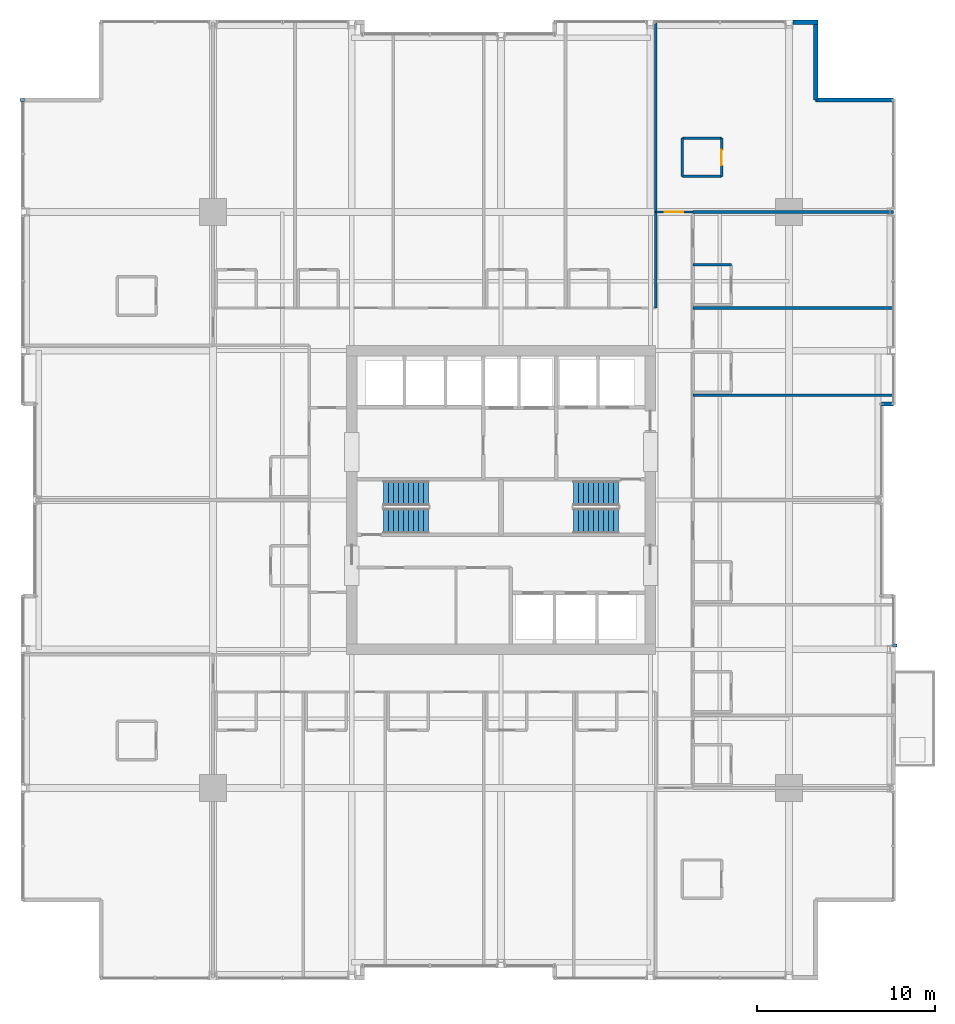
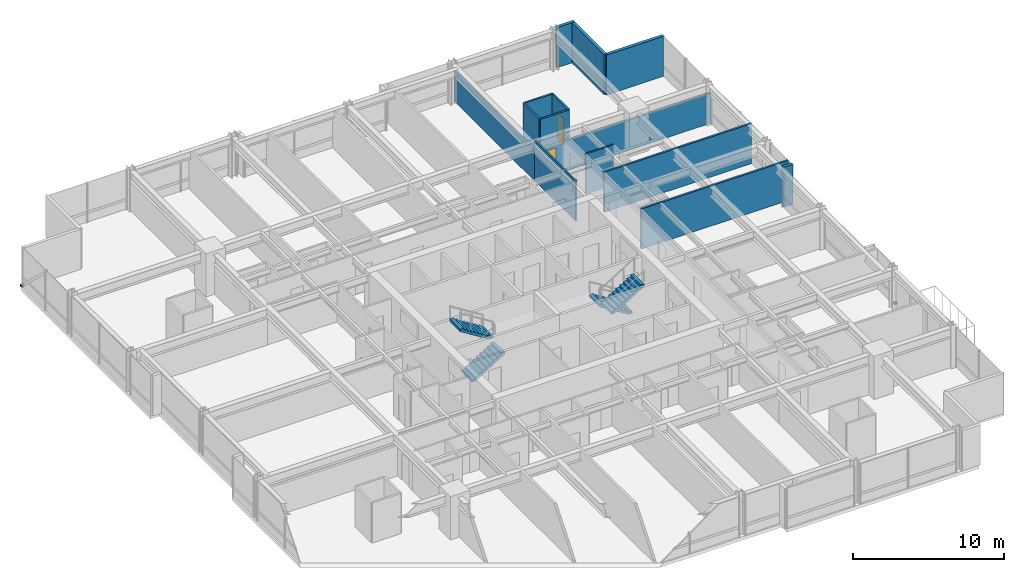
# One storey, part 32 of 34: 15 walls, 4 stair flights, 2 discrete accessories, 2 doors, 2 openings, 2 elements without a shape of their own.
"""IFC4 building model written with IfcOpenShell, lengths in metres."""

import ifcopenshell
import ifcopenshell.guid

model = None  # the IFC model being written
_history = None  # IfcOwnerHistory: only IFC2X3 demands one
_inside = {}  # id of a spatial element -> (the spatial element, [elements in it])
_under = {}  # id of a project, library or spatial element -> (it, [spatial elements below it])
_declared = {}  # id of a project -> (the project, [libraries it declares])
_typed = {}  # id of a type object -> (the type object, [elements of that type])
_made_of = {}  # id of a material, layer set ... -> (it, [elements and type objects made of it])


def new_model(schema):
    """Start an empty IFC model of exactly this schema.

    Asked for "IFC4X3", IfcOpenShell would pick the latest addendum, in which some entities
    have other attributes; the version numbers below select the first issue.
    IFC2X3 requires an IfcOwnerHistory on every rooted entity: one is made here for all.
    """
    global model, _history
    if schema == "IFC4X3":
        model = ifcopenshell.file(schema_version=(4, 3, 0, 0))
    else:
        model = ifcopenshell.file(schema=schema)
    _inside.clear()
    _under.clear()
    _declared.clear()
    _typed.clear()
    _made_of.clear()
    _history = None
    if model.schema == "IFC2X3":
        org = make("IfcOrganization", Name="unknown")
        user = make(
            "IfcPersonAndOrganization",
            ThePerson=make("IfcPerson", FamilyName="unknown"),
            TheOrganization=org,
        )
        app = make(
            "IfcApplication",
            ApplicationDeveloper=org,
            Version="unknown",
            ApplicationFullName="unknown",
            ApplicationIdentifier="unknown",
        )
        _history = make(
            "IfcOwnerHistory",
            OwningUser=user,
            OwningApplication=app,
            ChangeAction="ADDED",
            CreationDate=0,
        )
    return model


def make(cls, **values):
    """One entity of the class cls with the attributes given. An attribute that is None is left unset."""
    return model.create_entity(
        cls, **{name: value for name, value in values.items() if value is not None}
    )


def rooted(cls, **values):
    """An entity with a GlobalId (a new one), such as an element, a storey or a relation."""
    return make(cls, GlobalId=ifcopenshell.guid.new(), OwnerHistory=_history, **values)


def si_unit(unit_type, name, prefix=None):
    """IfcSIUnit, for example si_unit("LENGTHUNIT", "METRE", prefix="MILLI")."""
    return make("IfcSIUnit", UnitType=unit_type, Prefix=prefix, Name=name)


def assignment(units):
    """IfcUnitAssignment: the units of a project."""
    return None if units is None else make("IfcUnitAssignment", Units=units)


def point(xyz):
    """IfcCartesianPoint."""
    return None if xyz is None else make("IfcCartesianPoint", Coordinates=xyz)


def direction(xyz):
    """IfcDirection."""
    return None if xyz is None else make("IfcDirection", DirectionRatios=xyz)


def frame(location, z_axis=None, x_axis=None):
    """IfcAxis2Placement3D, a coordinate frame: its origin and axes. An axis left out is left unset."""
    return make(
        "IfcAxis2Placement3D",
        Location=point(location),
        Axis=direction(z_axis),
        RefDirection=direction(x_axis),
    )


def frame_2d(location, x_axis=None):
    """IfcAxis2Placement2D, a coordinate frame in the plane: its origin and x axis."""
    return make(
        "IfcAxis2Placement2D", Location=point(location), RefDirection=direction(x_axis)
    )


def origin():
    """The frame at (0, 0, 0) with its axes left unset."""
    return frame((0.0, 0.0, 0.0))


def origin_2d():
    """The frame at (0, 0) in the plane with its x axis left unset."""
    return frame_2d((0.0, 0.0))


def place(relative_to, where):
    """IfcLocalPlacement: puts the frame where relative to a parent placement (None: the world)."""
    return make(
        "IfcLocalPlacement", PlacementRelTo=relative_to, RelativePlacement=where
    )


def context(
    kind, dimensions, precision=None, world=None, true_north=None, identifier=None
):
    """IfcGeometricRepresentationContext, for example the 3D "Model" context."""
    return make(
        "IfcGeometricRepresentationContext",
        ContextIdentifier=identifier,
        ContextType=kind,
        CoordinateSpaceDimension=dimensions,
        Precision=precision,
        WorldCoordinateSystem=world,
        TrueNorth=true_north,
    )


def subcontext(parent, identifier, kind, view, scale=None):
    """IfcGeometricRepresentationSubContext, for example "Body" below "Model"."""
    return make(
        "IfcGeometricRepresentationSubContext",
        ContextIdentifier=identifier,
        ContextType=kind,
        ParentContext=parent,
        TargetScale=scale,
        TargetView=view,
    )


def project(units=None, contexts=None):
    """IfcProject with its units and contexts."""
    return rooted(
        "IfcProject",
        Name="project",
        RepresentationContexts=contexts,
        UnitsInContext=assignment(units),
    )


def spatial(cls, under=None, at=None, **own):
    """A site, building, storey or space (cls), placed at a placement, below another one or the project."""
    s = rooted(cls, ObjectPlacement=at, **own)
    if under is not None:
        _under.setdefault(under.id(), (under, []))[1].append(s)
    return s


def polyline(points):
    """IfcPolyline through the points."""
    return make("IfcPolyline", Points=[point(p) for p in points])


def profile(cls, at=None, kind="AREA", **sizes):
    """A parametric profile (cls). Its sizes go by their IFC names, for example OverallWidth=200.0."""
    return make(cls, ProfileType=kind, Position=at, **sizes)


def rectangle(**sizes):
    """IfcRectangleProfileDef."""
    return profile("IfcRectangleProfileDef", **sizes)


def outline(outer, holes=None, kind="AREA"):
    """IfcArbitraryClosedProfileDef: a profile drawn as a closed curve; with holes, ...WithVoids."""
    if holes is None:
        return make("IfcArbitraryClosedProfileDef", ProfileType=kind, OuterCurve=outer)
    return make(
        "IfcArbitraryProfileDefWithVoids",
        ProfileType=kind,
        OuterCurve=outer,
        InnerCurves=holes,
    )


def extrude(swept, where, along, depth):
    """IfcExtrudedAreaSolid: the profile swept, set in the frame where, extruded along a direction by depth."""
    return make(
        "IfcExtrudedAreaSolid",
        SweptArea=swept,
        Position=where,
        ExtrudedDirection=direction(along),
        Depth=depth,
    )


def shape(context_of_items, identifier, shape_type, items):
    """IfcShapeRepresentation: the items that make up one representation, for example the "Body"."""
    return make(
        "IfcShapeRepresentation",
        ContextOfItems=context_of_items,
        RepresentationIdentifier=identifier,
        RepresentationType=shape_type,
        Items=items,
    )


def material(Name=None, Category=None):
    """IfcMaterial."""
    return make("IfcMaterial", Name=Name, Category=Category)


def layer(
    of_material, thickness, ventilated=None, Name=None, Category=None, Priority=None
):
    """IfcMaterialLayer: one layer of a wall or slab, of a material (None: an air gap)."""
    return make(
        "IfcMaterialLayer",
        Material=of_material,
        LayerThickness=thickness,
        IsVentilated=ventilated,
        Name=Name,
        Category=Category,
        Priority=Priority,
    )


def layer_set(layers, Name=None):
    """IfcMaterialLayerSet."""
    return make("IfcMaterialLayerSet", MaterialLayers=layers, LayerSetName=Name)


def made_of(thing, what):
    """Note that an element or type object is made of a material, layer set ...; save() writes the relation."""
    if what is not None:
        _made_of.setdefault(what.id(), (what, []))[1].append(thing)
    return thing


def type_object(cls, material=None, **own):
    """A type object (cls), such as IfcWallType, which elements share."""
    return made_of(rooted(cls, **own), material)


def element(
    cls,
    number,
    at=None,
    inside=None,
    cuts=None,
    type_object=None,
    material=None,
    context=None,
    identifier="Body",
    shape_type=None,
    held_by="IfcProductDefinitionShape",
    body=None,
    shapes=None,
    **own,
):
    """One element of the class cls, such as IfcWall. Its Tag is "e" and its number.

    at: its placement. inside: the storey or other place that contains it. cuts: it is an
    opening in that element (IfcRelVoidsElement). A single representation is given by context,
    identifier, shape_type and body (its items); several are given by shapes. held_by: the class
    of the entity that holds the representations. save() writes the other relations.
    """
    e = rooted(cls, Tag="e%d" % number, ObjectPlacement=at, **own)
    if body is not None:
        shapes = [shape(context, identifier, shape_type, body)]
    if shapes is not None:
        e.Representation = make(held_by, Representations=shapes)
    if inside is not None:
        _inside.setdefault(inside.id(), (inside, []))[1].append(e)
    if cuts is not None:
        rooted(
            "IfcRelVoidsElement", RelatingBuildingElement=cuts, RelatedOpeningElement=e
        )
    if type_object is not None:
        _typed.setdefault(type_object.id(), (type_object, []))[1].append(e)
    return made_of(e, material)


def fill(opening, filler):
    """IfcRelFillsElement: the door or window that sits in an opening."""
    return rooted(
        "IfcRelFillsElement",
        RelatingOpeningElement=opening,
        RelatedBuildingElement=filler,
    )


def aggregate(whole, parts):
    """IfcRelAggregates: a whole, such as a stair, and the parts it consists of."""
    return rooted("IfcRelAggregates", RelatingObject=whole, RelatedObjects=parts)


def save(model, path):
    """Write the relations noted so far, then the file.

    IfcRelAggregates (storeys below a building ...), IfcRelContainedInSpatialStructure (elements
    in a storey), IfcRelDefinesByType, IfcRelAssociatesMaterial and IfcRelDeclares: one each for
    every whole, place, type object, material and project.
    """
    for whole, parts in _under.values():
        aggregate(whole, parts)
    for where, things in _inside.values():
        rooted(
            "IfcRelContainedInSpatialStructure",
            RelatedElements=things,
            RelatingStructure=where,
        )
    for kind, things in _typed.values():
        rooted("IfcRelDefinesByType", RelatedObjects=things, RelatingType=kind)
    for what, things in _made_of.values():
        rooted("IfcRelAssociatesMaterial", RelatedObjects=things, RelatingMaterial=what)
    for by, libraries in _declared.values():
        rooted("IfcRelDeclares", RelatingContext=by, RelatedDefinitions=libraries)
    model.write(path)


model = new_model("IFC4")

# Units and contexts
model_context = context("Model", 3, precision=1e-05, world=origin(), true_north=direction((0.0, 1.0)))
body_context = subcontext(model_context, "Body", "Model", "MODEL_VIEW")
ifc_project = project(units=[si_unit("LENGTHUNIT", "METRE"), si_unit("AREAUNIT", "SQUARE_METRE"), si_unit("VOLUMEUNIT", "CUBIC_METRE"), si_unit("PLANEANGLEUNIT", "RADIAN"), si_unit("MASSUNIT", "GRAM", prefix="KILO")], contexts=[model_context])

# Site, building, storey
site_placement = place(None, origin())
site = spatial("IfcSite", under=ifc_project, at=site_placement, CompositionType="ELEMENT")
building_placement = place(site_placement, origin())
building = spatial("IfcBuilding", under=site, at=building_placement, Name="Drelvath Grand Hotel", CompositionType="ELEMENT")
storey_placement = place(building_placement, frame((0.0, 0.0, 91.800048828125)))
storey = spatial("IfcBuildingStorey", under=building, at=storey_placement, Name="L22", CompositionType="ELEMENT", Elevation=91.800048828125)

# Wall
ifc_material_1 = material(Name="Gypsum Fireboard Partition")
ifc_layer_1 = layer(ifc_material_1, 0.135009765625)
ifc_layer_set_1 = layer_set([ifc_layer_1], Name="Gypsum Fireboard Partition")
wall_type_1 = type_object("IfcWallType", Name="Corridor Fire Barrier Wall 135", PredefinedType="PARTITIONING", material=ifc_layer_set_1)
wall_1_placement = place(storey_placement, frame((8.699951171875, 37.800048828125, 0.0), z_axis=(0.0, 0.0, 1.0), x_axis=(0.0, 1.0, 0.0)))
element("IfcWall", 1, at=wall_1_placement, inside=storey, type_object=wall_type_1, Name="L22 East Spine North Inner Wall", PredefinedType="PARTITIONING", context=body_context, shape_type="SweptSolid", body=[
    extrude(rectangle(XDim=5.39990234375, YDim=0.135009765625, at=frame_2d((2.699951171875, 0.0))), origin(), (0.0, 0.0, 1.0), 3.239990234375),
])

# Wall, opening, door
wall_2_placement = place(storey_placement, frame((8.699951171875, 43.199951171875, 0.0), z_axis=(0.0, 0.0, 1.0), x_axis=(1.0, 0.0, 0.0)))
wall_2 = element("IfcWall", 2, at=wall_2_placement, inside=storey, type_object=wall_type_1, Name="L22 East Spine North End", PredefinedType="PARTITIONING", context=body_context, shape_type="SweptSolid", body=[
    extrude(rectangle(XDim=2.10009765625, YDim=0.135009765625, at=frame_2d((1.050048828125, 0.0))), origin(), (0.0, 0.0, 1.0), 2.45166015625),
])
opening_1_placement = place(wall_2_placement, frame((0.52001953125, 0.0, 0.0)))
opening_1 = element("IfcOpeningElement", 3, at=opening_1_placement, cuts=wall_2, Name="Opening D-T2G1-026", PredefinedType="OPENING", context=body_context, shape_type="SweptSolid", body=[
    extrude(rectangle(XDim=1.02001953125, YDim=2.14990234375, at=frame_2d((0.510009765625, 1.074951171875))), frame((0.0, 0.077392578125, 0.0), z_axis=(0.0, -1.0, 0.0), x_axis=(1.0, 0.0, 0.0)), (0.0, 0.0, 1.0), 0.155029296875),
])
ifc_material_2 = material(Name="Hardwood Walnut Timber", Category="wood")
door_type_1 = type_object("IfcDoorType", Name="Amenity Meeting Fire Door 1020x2150", OperationType="NOTDEFINED", PredefinedType="DOOR", material=ifc_material_2)
door_1_placement = place(opening_1_placement, origin())
door_1 = element("IfcDoor", 4, at=door_1_placement, inside=storey, type_object=door_type_1, Name="L22 Corner Suite Entry Door", OperationType="SINGLE_SWING_LEFT", OverallHeight=2.14990234375, OverallWidth=1.02001953125, PredefinedType="DOOR", context=body_context, shape_type="SweptSolid", body=[
    extrude(rectangle(XDim=1.02001953125, YDim=2.14990234375, at=frame_2d((0.510009765625, 1.074951171875))), frame((0.0, 0.02490234375, 0.0), z_axis=(0.0, -1.0, 0.0), x_axis=(1.0, 0.0, 0.0)), (0.0, 0.0, 1.0), 0.050048828125),
])
fill(opening_1, door_1)

# Walls
ifc_material_3 = material(Name="Moisture-Resistant Gypsum Board")
ifc_layer_2 = layer(ifc_material_3, 0.139892578125)
ifc_layer_set_2 = layer_set([ifc_layer_2], Name="Moisture-Resistant Gypsum Board")
wall_type_2 = type_object("IfcWallType", Name="En-Suite Plumbing Wall 140", PredefinedType="PLUMBINGWALL", material=ifc_layer_set_2)
for number, where, z_axis, x_axis, name in (
    (5, (10.199951171875, 45.199951171875, 0.0), (0.0, 0.0, 1.0), (1.0, 0.0, 0.0), "L22 Corner En-Suite South"),
    (6, (10.199951171875, 47.35009765625, 0.0), (0.0, 0.0, 1.0), (1.0, 0.0, 0.0), "L22 Corner En-Suite North"),
):
    element("IfcWall", number, at=place(storey_placement, frame(where, z_axis=z_axis, x_axis=x_axis)), inside=storey, type_object=wall_type_2, Name=name, PredefinedType="PLUMBINGWALL", context=body_context, shape_type="SweptSolid", body=[
        extrude(rectangle(XDim=2.199951171875, YDim=0.139892578125, at=frame_2d((1.10009765625, 0.0))), origin(), (0.0, 0.0, 1.0), 3.239990234375),
    ])
wall_3_placement = place(storey_placement, frame((10.199951171875, 45.199951171875, 0.0), z_axis=(0.0, 0.0, 1.0), x_axis=(0.0, 1.0, 0.0)))
element("IfcWall", 7, at=wall_3_placement, inside=storey, type_object=wall_type_2, Name="L22 Corner En-Suite West", PredefinedType="PLUMBINGWALL", context=body_context, shape_type="SweptSolid", body=[
    extrude(rectangle(XDim=2.150146484375, YDim=0.139892578125, at=frame_2d((1.0751953125, 0.0))), origin(), (0.0, 0.0, 1.0), 3.239990234375),
])

# Wall, opening, door
wall_4_placement = place(storey_placement, frame((12.39990234375, 45.199951171875, 0.0), z_axis=(0.0, 0.0, 1.0), x_axis=(0.0, 1.0, 0.0)))
wall_4 = element("IfcWall", 8, at=wall_4_placement, inside=storey, type_object=wall_type_2, Name="L22 Corner En-Suite East", PredefinedType="PLUMBINGWALL", context=body_context, shape_type="SweptSolid", body=[
    extrude(rectangle(XDim=2.150146484375, YDim=0.139892578125, at=frame_2d((1.0751953125, 0.0))), origin(), (0.0, 0.0, 1.0), 3.239990234375),
])
opening_2_placement = place(wall_4_placement, frame((0.6201171875, 0.0, 0.0)))
opening_2 = element("IfcOpeningElement", 9, at=opening_2_placement, cuts=wall_4, Name="Opening D-T2G1-025", PredefinedType="OPENING", context=body_context, shape_type="SweptSolid", body=[
    extrude(rectangle(XDim=0.8798828125, YDim=2.10009765625, at=frame_2d((0.43994140625, 1.050048828125))), frame((0.0, 0.079833984375, 0.0), z_axis=(0.0, -1.0, 0.0), x_axis=(1.0, 0.0, 0.0)), (0.0, 0.0, 1.0), 0.159912109375),
])
door_type_2 = type_object("IfcDoorType", Name="En-Suite Bathroom Door 880x2100", OperationType="NOTDEFINED", PredefinedType="DOOR", material=ifc_material_2)
door_2_placement = place(opening_2_placement, origin())
door_2 = element("IfcDoor", 10, at=door_2_placement, inside=storey, type_object=door_type_2, Name="L22 Corner En-Suite Door", OperationType="SINGLE_SWING_RIGHT", OverallHeight=2.10009765625, OverallWidth=0.8798828125, PredefinedType="DOOR", context=body_context, shape_type="SweptSolid", body=[
    extrude(rectangle(XDim=0.8798828125, YDim=2.10009765625, at=frame_2d((0.43994140625, 1.050048828125))), frame((0.0, 0.02490234375, 0.0), z_axis=(0.0, -1.0, 0.0), x_axis=(1.0, 0.0, 0.0)), (0.0, 0.0, 1.0), 0.050048828125),
])
fill(opening_2, door_2)

# Walls
wall_5_placement = place(storey_placement, frame((10.800048828125, 40.22998046875, 0.0), z_axis=(0.0, 0.0, 1.0), x_axis=(1.0, 0.0, 0.0)))
element("IfcWall", 11, at=wall_5_placement, inside=storey, type_object=wall_type_2, Name="L22 En-Suite Right Wall", PredefinedType="PLUMBINGWALL", context=body_context, shape_type="SweptSolid", body=[
    extrude(rectangle(XDim=2.14990234375, YDim=0.139892578125, at=frame_2d((1.074951171875, 0.0))), origin(), (0.0, 0.0, 1.0), 3.239990234375),
])
ifc_material_4 = material(Name="Gypsum Acoustic Partition")
ifc_layer_3 = layer(ifc_material_4, 0.14990234375)
ifc_layer_set_3 = layer_set([ifc_layer_3], Name="Gypsum Acoustic Partition")
wall_type_3 = type_object("IfcWallType", Name="Guestroom Demising Wall 150", PredefinedType="PARTITIONING", material=ifc_layer_set_3)
for number, where, z_axis, x_axis, name in (
    (12, (10.800048828125, 32.890869140625, 0.0), (0.0, 0.0, 1.0), (1.0, 0.0, 0.0), "L22 East Demising 4"),
    (13, (10.800048828125, 37.800048828125, 0.0), (0.0, 0.0, 1.0), (1.0, 0.0, 0.0), "L22 East Demising 5"),
):
    element("IfcWall", number, at=place(storey_placement, frame(where, z_axis=z_axis, x_axis=x_axis)), inside=storey, type_object=wall_type_3, Name=name, PredefinedType="PARTITIONING", context=body_context, shape_type="SweptSolid", body=[
        extrude(rectangle(XDim=11.280029296875, YDim=0.14990234375, at=frame_2d((5.64013671875, 0.0))), origin(), (0.0, 0.0, 1.0), 3.239990234375),
    ])
ifc_layer_4 = layer(ifc_material_4, 0.1650390625)
ifc_layer_set_4 = layer_set([ifc_layer_4], Name="Gypsum Acoustic Partition")
wall_type_4 = type_object("IfcWallType", Name="Suite Demising Wall 165", PredefinedType="PARTITIONING", material=ifc_layer_set_4)
wall_6_placement = place(storey_placement, frame((8.699951171875, 43.199951171875, 0.0), z_axis=(0.0, 0.0, 1.0), x_axis=(0.0, 1.0, 0.0)))
element("IfcWall", 14, at=wall_6_placement, inside=storey, type_object=wall_type_4, Name="L22 NE Suite West Wall", PredefinedType="PARTITIONING", context=body_context, shape_type="SweptSolid", body=[
    extrude(rectangle(XDim=10.679931640625, YDim=0.1650390625, at=frame_2d((5.33984375, 0.0))), origin(), (0.0, 0.0, 1.0), 2.45166015625),
])
wall_7_placement = place(storey_placement, frame((10.800048828125, 43.199951171875, 0.0), z_axis=(0.0, 0.0, 1.0), x_axis=(1.0, 0.0, 0.0)))
element("IfcWall", 15, at=wall_7_placement, inside=storey, type_object=wall_type_4, Name="L22 NE Suite South Wall", PredefinedType="PARTITIONING", context=body_context, shape_type="SweptSolid", body=[
    extrude(rectangle(XDim=11.280029296875, YDim=0.1650390625, at=frame_2d((5.64013671875, 0.0))), origin(), (0.0, 0.0, 1.0), 2.45166015625),
])
ifc_material_5 = material(Name="Pale-Metal Insulated Aluminium Spandrel Assembly", Category="aluminium")
ifc_layer_5 = layer(ifc_material_5, 0.239990234375)
ifc_layer_set_5 = layer_set([ifc_layer_5], Name="Pale-Metal Insulated Aluminium Spandrel Assembly")
wall_type_5 = type_object("IfcWallType", Name="Tower Insulated Metal Spandrel Closure Wall 240", PredefinedType="STANDARD", material=ifc_layer_set_5)
wall_8_placement = place(storey_placement, frame((16.419677734375, 53.8798828125, 0.0), z_axis=(0.0, 0.0, 1.0), x_axis=(1.0, 0.0, 0.0)))
element("IfcWall", 16, at=wall_8_placement, inside=storey, type_object=wall_type_5, Name="L22 Corner Pier Spandrel Wall NE3", PredefinedType="STANDARD", context=body_context, shape_type="SweptSolid", body=[
    extrude(rectangle(XDim=1.400390625, YDim=0.239990234375, at=frame_2d((0.7001953125, 0.0))), origin(), (0.0, 0.0, 1.0), 3.239990234375),
])
wall_9_placement = place(storey_placement, frame((17.699951171875, 53.760009765625, 0.0), z_axis=(0.0, 0.0, 1.0), x_axis=(0.0, -1.0, 0.0)))
element("IfcWall", 17, at=wall_9_placement, inside=storey, type_object=wall_type_5, Name="L22 Notched Corner Return Spandrel Wall CNE1", PredefinedType="STANDARD", context=body_context, shape_type="SweptSolid", body=[
    extrude(rectangle(XDim=4.260009765625, YDim=0.239990234375, at=frame_2d((2.1298828125, 0.0))), origin(), (0.0, 0.0, 1.0), 3.239990234375),
])
wall_10_placement = place(storey_placement, frame((17.699951171875, 49.5, 0.0), z_axis=(0.0, 0.0, 1.0), x_axis=(1.0, 0.0, 0.0)))
element("IfcWall", 18, at=wall_10_placement, inside=storey, type_object=wall_type_5, Name="L22 Notched Corner Return Spandrel Wall CNE2", PredefinedType="STANDARD", context=body_context, shape_type="SweptSolid", body=[
    extrude(rectangle(XDim=4.380126953125, YDim=0.239990234375, at=frame_2d((2.18994140625, 0.0))), origin(), (0.0, 0.0, 1.0), 3.239990234375),
])
wall_11_placement = place(storey_placement, frame((22.080078125, 32.39990234375, 0.0), z_axis=(0.0, 0.0, 1.0), x_axis=(-1.0, 0.0, 0.0)))
element("IfcWall", 19, at=wall_11_placement, inside=storey, type_object=wall_type_5, Name="L22 Notched Corner Return Spandrel Wall RE1", PredefinedType="STANDARD", context=body_context, shape_type="SweptSolid", body=[
    extrude(rectangle(XDim=0.68017578125, YDim=0.239990234375, at=frame_2d((0.340087890625, 0.0))), origin(), (0.0, 0.0, 1.0), 3.239990234375),
])

# Stair, stair flights
ifc_material_6 = material(Name="Concrete C40/50", Category="concrete")
stair_type = type_object("IfcStairType", Name="Dogleg Exit Stair W1400-R175.0", PredefinedType="HALF_TURN_STAIR", material=ifc_material_6)
stair_1_placement = place(storey_placement, origin())
stair_1 = element("IfcStair", 20, at=stair_1_placement, inside=storey, type_object=stair_type, Name="L22 Core Exit Stair ST-1", PredefinedType="HALF_TURN_STAIR")
stair_flight_type = type_object("IfcStairFlightType", Name="Concrete Stair Flight W1400-R175.0", PredefinedType="STRAIGHT", material=ifc_material_6)
stair_flight_1_placement = place(storey_placement, frame((-6.60009765625, 25.820068359375, 0.0), z_axis=(0.0, 0.0, 1.0), x_axis=(1.0, 0.0, 0.0)))
stair_flight_1 = element("IfcStairFlight", 21, at=stair_flight_1_placement, type_object=stair_flight_type, Name="ST-1 flight 1", NumberOfRisers=10, NumberOfTreads=9, PredefinedType="STRAIGHT", RiserHeight=0.175, TreadLength=0.28, context=body_context, shape_type="SweptSolid", body=[
    extrude(outline(polyline([(0.0, 0.0), (0.0, 0.175048828125), (0.280029296875, 0.175048828125), (0.280029296875, 0.35009765625), (0.56005859375, 0.35009765625), (0.56005859375, 0.52490234375), (0.840087890625, 0.52490234375), (0.840087890625, 0.699951171875), (1.1201171875, 0.699951171875), (1.1201171875, 0.875), (1.39990234375, 0.875), (1.39990234375, 1.050048828125), (1.679931640625, 1.050048828125), (1.679931640625, 1.22509765625), (1.9599609375, 1.22509765625), (1.9599609375, 1.39990234375), (2.239990234375, 1.39990234375), (2.239990234375, 1.574951171875), (2.52001953125, 1.574951171875), (2.52001953125, 1.75), (2.52001953125, 1.386474609375), (0.3017578125, 0.0), (0.0, 0.0)])), frame((0.0, 0.699951171875, 0.0), z_axis=(0.0, -1.0, 0.0), x_axis=(1.0, 0.0, 0.0)), (0.0, 0.0, 1.0), 1.39990234375),
])
stair_flight_2_placement = place(storey_placement, frame((-4.080078125, 27.3798828125, 1.75), z_axis=(0.0, 0.0, 1.0), x_axis=(-1.0, 0.0, 0.0)))
stair_flight_2 = element("IfcStairFlight", 22, at=stair_flight_2_placement, type_object=stair_flight_type, Name="ST-1 flight 2", NumberOfRisers=10, NumberOfTreads=9, PredefinedType="STRAIGHT", RiserHeight=0.175, TreadLength=0.28, context=body_context, shape_type="SweptSolid", body=[
    extrude(outline(polyline([(0.0, 0.0), (0.0, 0.175048828125), (0.280029296875, 0.175048828125), (0.280029296875, 0.35009765625), (0.56005859375, 0.35009765625), (0.56005859375, 0.52490234375), (0.840087890625, 0.52490234375), (0.840087890625, 0.699951171875), (1.1201171875, 0.699951171875), (1.1201171875, 0.875), (1.39990234375, 0.875), (1.39990234375, 1.050048828125), (1.679931640625, 1.050048828125), (1.679931640625, 1.22509765625), (1.9599609375, 1.22509765625), (1.9599609375, 1.39990234375), (2.239990234375, 1.39990234375), (2.239990234375, 1.574951171875), (2.52001953125, 1.574951171875), (2.52001953125, 1.75), (2.52001953125, 1.386474609375), (0.3017578125, 0.0), (0.0, 0.0)])), frame((0.0, 0.699951171875, 0.0), z_axis=(0.0, -1.0, 0.0), x_axis=(1.0, 0.0, 0.0)), (0.0, 0.0, 1.0), 1.39990234375),
])
aggregate(stair_1, [stair_flight_1, stair_flight_2])

stair_2_placement = place(storey_placement, origin())
stair_2 = element("IfcStair", 23, at=stair_2_placement, inside=storey, type_object=stair_type, Name="L22 Core Exit Stair ST-2", PredefinedType="HALF_TURN_STAIR")
stair_flight_3_placement = place(storey_placement, frame((6.60009765625, 27.3798828125, 0.0), z_axis=(0.0, 0.0, 1.0), x_axis=(-1.0, 0.0, 0.0)))
stair_flight_3 = element("IfcStairFlight", 24, at=stair_flight_3_placement, type_object=stair_flight_type, Name="ST-2 flight 1", NumberOfRisers=10, NumberOfTreads=9, PredefinedType="STRAIGHT", RiserHeight=0.175, TreadLength=0.28, context=body_context, shape_type="SweptSolid", body=[
    extrude(outline(polyline([(0.0, 0.0), (0.0, 0.175048828125), (0.280029296875, 0.175048828125), (0.280029296875, 0.35009765625), (0.56005859375, 0.35009765625), (0.56005859375, 0.52490234375), (0.840087890625, 0.52490234375), (0.840087890625, 0.699951171875), (1.1201171875, 0.699951171875), (1.1201171875, 0.875), (1.39990234375, 0.875), (1.39990234375, 1.050048828125), (1.679931640625, 1.050048828125), (1.679931640625, 1.22509765625), (1.9599609375, 1.22509765625), (1.9599609375, 1.39990234375), (2.239990234375, 1.39990234375), (2.239990234375, 1.574951171875), (2.52001953125, 1.574951171875), (2.52001953125, 1.75), (2.52001953125, 1.386474609375), (0.3017578125, 0.0), (0.0, 0.0)])), frame((0.0, 0.699951171875, 0.0), z_axis=(0.0, -1.0, 0.0), x_axis=(1.0, 0.0, 0.0)), (0.0, 0.0, 1.0), 1.39990234375),
])
stair_flight_4_placement = place(storey_placement, frame((4.080078125, 25.820068359375, 1.75), z_axis=(0.0, 0.0, 1.0), x_axis=(1.0, 0.0, 0.0)))
stair_flight_4 = element("IfcStairFlight", 25, at=stair_flight_4_placement, type_object=stair_flight_type, Name="ST-2 flight 2", NumberOfRisers=10, NumberOfTreads=9, PredefinedType="STRAIGHT", RiserHeight=0.175, TreadLength=0.28, context=body_context, shape_type="SweptSolid", body=[
    extrude(outline(polyline([(0.0, 0.0), (0.0, 0.175048828125), (0.280029296875, 0.175048828125), (0.280029296875, 0.35009765625), (0.56005859375, 0.35009765625), (0.56005859375, 0.52490234375), (0.840087890625, 0.52490234375), (0.840087890625, 0.699951171875), (1.1201171875, 0.699951171875), (1.1201171875, 0.875), (1.39990234375, 0.875), (1.39990234375, 1.050048828125), (1.679931640625, 1.050048828125), (1.679931640625, 1.22509765625), (1.9599609375, 1.22509765625), (1.9599609375, 1.39990234375), (2.239990234375, 1.39990234375), (2.239990234375, 1.574951171875), (2.52001953125, 1.574951171875), (2.52001953125, 1.75), (2.52001953125, 1.386474609375), (0.3017578125, 0.0), (0.0, 0.0)])), frame((0.0, 0.699951171875, 0.0), z_axis=(0.0, -1.0, 0.0), x_axis=(1.0, 0.0, 0.0)), (0.0, 0.0, 1.0), 1.39990234375),
])
aggregate(stair_2, [stair_flight_3, stair_flight_4])

# Discrete accessories
ifc_material_7 = material(Name="Stainless Steel Grade 316", Category="steel")
discrete_accessory_type = type_object("IfcDiscreteAccessoryType", Name="Curtain Wall Fin Mounting Bracket Cleat", PredefinedType="BRACKET", material=ifc_material_7)
for number, where, z_axis, x_axis, name in (
    (26, (-26.93994140625, 49.5, 0.10009765625), (0.0, 0.0, 1.0), (0.0, 1.0, 0.0), "L22 Fin Mounting Bracket CW03-L22-WN3-1"),
    (27, (22.139892578125, 18.819580078125, 0.10009765625), (0.0, 0.0, 1.0), (0.0, -1.0, 0.0), "L22 Fin Mounting Bracket CW03-L22-ES3-1"),
):
    element("IfcDiscreteAccessory", number, at=place(storey_placement, frame(where, z_axis=z_axis, x_axis=x_axis)), inside=storey, type_object=discrete_accessory_type, Name=name, PredefinedType="BRACKET", context=body_context, shape_type="SweptSolid", body=[
        extrude(rectangle(XDim=0.159912109375, YDim=0.239990234375, at=origin_2d()), origin(), (0.0, 0.0, 1.0), 0.159912109375),
    ])

save(model, "model.ifc")
